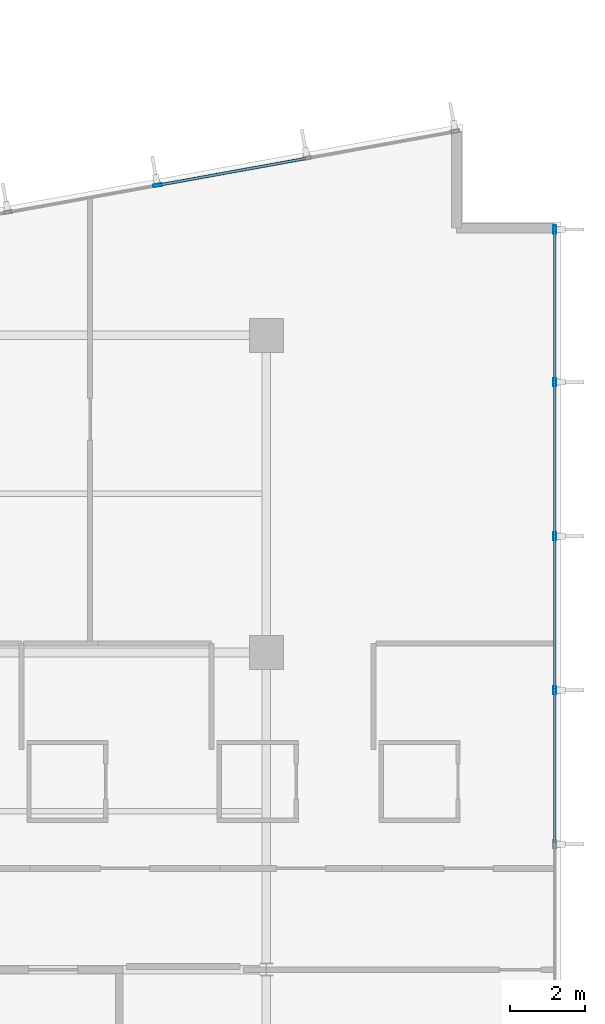
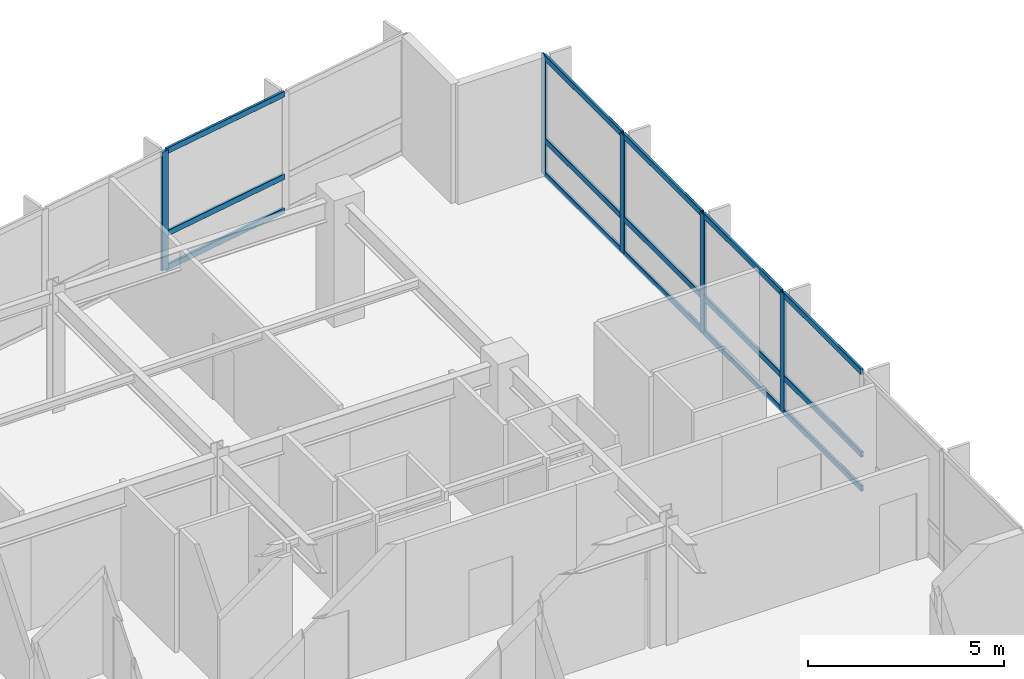
# One storey, part 8 of 21: 20 members, 2 elements without a shape of their own.
"""IFC4 building model written with IfcOpenShell, lengths in metres."""

from ifc_helpers import new_model, si_unit, direction, frame, origin, origin_2d, place, context, subcontext, project, spatial, hollow_rectangle, extrude, material, layer, layer_set, material_profile, profile_set, type_object, element, aggregate, save


model = new_model("IFC4")

# Units and contexts
model_context = context("Model", 3, precision=1e-05, world=origin(), true_north=direction((0.0, 1.0)))
body_context = subcontext(model_context, "Body", "Model", "MODEL_VIEW")
ifc_project = project(units=[si_unit("LENGTHUNIT", "METRE"), si_unit("AREAUNIT", "SQUARE_METRE"), si_unit("VOLUMEUNIT", "CUBIC_METRE"), si_unit("PLANEANGLEUNIT", "RADIAN"), si_unit("MASSUNIT", "GRAM", prefix="KILO")], contexts=[model_context])

# Site, building, storey
site_placement = place(None, origin())
site = spatial("IfcSite", under=ifc_project, at=site_placement, CompositionType="ELEMENT")
building_placement = place(site_placement, origin())
building = spatial("IfcBuilding", under=site, at=building_placement, Name="Varnakote Quay Hospital", CompositionType="ELEMENT")
storey_placement = place(building_placement, frame((0.0, 0.0, 38.300048828125)))
storey = spatial("IfcBuildingStorey", under=building, at=storey_placement, Name="L09", CompositionType="ELEMENT", Elevation=38.300048828125)

# Curtain wall, members
ifc_material_1 = material(Name="Anodised aluminium 6063-T6 Bronze", Category="aluminium")
ifc_layer = layer(ifc_material_1, 0.18994140625)
ifc_layer_set = layer_set([ifc_layer], Name="Anodised aluminium 6063-T6 Bronze")
curtain_wall_type = type_object("IfcCurtainWallType", Name="CW-SYS-2", PredefinedType="NOTDEFINED", material=ifc_layer_set)
curtain_wall_1_placement = place(storey_placement, origin())
curtain_wall_1 = element("IfcCurtainWall", 1, at=curtain_wall_1_placement, inside=storey, type_object=curtain_wall_type, Name="L09 Unitised Bronze Curtain Wall 1", PredefinedType="NOTDEFINED")
ifc_material_2 = material(Name="Anodised aluminium 6063-T6 Bronze", Category="aluminium")
ifc_material_profile_1 = material_profile(ifc_material_2, hollow_rectangle(XDim=0.074951171875, YDim=0.219970703125, WallThickness=0.00439453125, InnerFilletRadius=0.00439453125, OuterFilletRadius=0.009033203125, at=origin_2d()), Name="CW-MULL-220x75")
ifc_profile_set_1 = profile_set([ifc_material_profile_1], Name="Anodised aluminium 6063-T6 Bronze")
member_type_1 = type_object("IfcMemberType", Name="CW-MULL-220x75", PredefinedType="MULLION", material=ifc_profile_set_1)
member_1_placement = place(storey_placement, frame((58.0400390625, 19.39990234375, 0.0), z_axis=(0.0, 0.0, 1.0), x_axis=(-1.0, 0.0, 0.0)))
member_1 = element("IfcMember", 2, at=member_1_placement, type_object=member_type_1, Name="-2-L09-1 mullion 4", PredefinedType="MULLION", context=body_context, shape_type="SweptSolid", body=[
    extrude(hollow_rectangle(XDim=0.074951171875, YDim=0.219970703125, WallThickness=0.00439453125, InnerFilletRadius=0.00439453125, OuterFilletRadius=0.009033203125, at=origin_2d()), origin(), (0.0, 0.0, 1.0), 3.7099609375),
])
member_2_placement = place(storey_placement, frame((58.0400390625, 23.47998046875, 0.0), z_axis=(0.0, 0.0, 1.0), x_axis=(-1.0, 0.0, 0.0)))
member_2 = element("IfcMember", 3, at=member_2_placement, type_object=member_type_1, Name="-2-L09-1 mullion 5", PredefinedType="MULLION", context=body_context, shape_type="SweptSolid", body=[
    extrude(hollow_rectangle(XDim=0.074951171875, YDim=0.219970703125, WallThickness=0.00439453125, InnerFilletRadius=0.00439453125, OuterFilletRadius=0.009033203125, at=origin_2d()), origin(), (0.0, 0.0, 1.0), 3.7099609375),
])
member_3_placement = place(storey_placement, frame((58.0400390625, 27.56005859375, 0.0), z_axis=(0.0, 0.0, 1.0), x_axis=(-1.0, 0.0, 0.0)))
member_3 = element("IfcMember", 4, at=member_3_placement, type_object=member_type_1, Name="-2-L09-1 mullion 6", PredefinedType="MULLION", context=body_context, shape_type="SweptSolid", body=[
    extrude(hollow_rectangle(XDim=0.074951171875, YDim=0.219970703125, WallThickness=0.00439453125, InnerFilletRadius=0.00439453125, OuterFilletRadius=0.009033203125, at=origin_2d()), origin(), (0.0, 0.0, 1.0), 3.7099609375),
])
member_4_placement = place(storey_placement, frame((58.0400390625, 31.6025390625, 0.0), z_axis=(0.0, 0.0, 1.0), x_axis=(-1.0, 0.0, 0.0)))
member_4 = element("IfcMember", 5, at=member_4_placement, type_object=member_type_1, Name="-2-L09-1 mullion 7", PredefinedType="MULLION", context=body_context, shape_type="SweptSolid", body=[
    extrude(hollow_rectangle(XDim=0.074951171875, YDim=0.219970703125, WallThickness=0.00439453125, InnerFilletRadius=0.00439453125, OuterFilletRadius=0.009033203125, at=origin_2d()), origin(), (0.0, 0.0, 1.0), 3.7099609375),
])

# Curtain wall, member
curtain_wall_2_placement = place(storey_placement, origin())
curtain_wall_2 = element("IfcCurtainWall", 6, at=curtain_wall_2_placement, inside=storey, type_object=curtain_wall_type, Name="L09 Unitised Bronze Curtain Wall 2", PredefinedType="NOTDEFINED")
member_5_placement = place(storey_placement, frame((47.514892578125, 32.776123046875, 0.0), z_axis=(0.0, 0.0, 1.0), x_axis=(0.177846199098, -0.984058295766, 0.0)))
member_5 = element("IfcMember", 7, at=member_5_placement, type_object=member_type_1, Name="-2-L09-2 mullion 3", PredefinedType="MULLION", context=body_context, shape_type="SweptSolid", body=[
    extrude(hollow_rectangle(XDim=0.074951171875, YDim=0.219970703125, WallThickness=0.00439453125, InnerFilletRadius=0.00439453125, OuterFilletRadius=0.009033203125, at=origin_2d()), origin(), (0.0, 0.0, 1.0), 3.7099609375),
])

# Member
ifc_material_3 = material(Name="Anodised aluminium 6063-T6 Bronze", Category="aluminium")
ifc_material_profile_2 = material_profile(ifc_material_3, hollow_rectangle(XDim=0.074951171875, YDim=0.179931640625, WallThickness=0.004150390625, InnerFilletRadius=0.004150390625, OuterFilletRadius=0.00830078125, at=origin_2d()), Name="CW-TRAN-180x75")
ifc_profile_set_2 = profile_set([ifc_material_profile_2], Name="Anodised aluminium 6063-T6 Bronze")
member_type_2 = type_object("IfcMemberType", Name="CW-TRAN-180x75", PredefinedType="USERDEFINED", material=ifc_profile_set_2)
member_6_placement = place(storey_placement, frame((58.0400390625, 15.357421875, 0.037353515625), z_axis=(0.0, 1.0, 0.0), x_axis=(-1.0, 0.0, 0.0)))
member_6 = element("IfcMember", 8, at=member_6_placement, type_object=member_type_2, Name="-2-L09-1 transom 3.1", ObjectType="TRANSOM", PredefinedType="USERDEFINED", context=body_context, shape_type="SweptSolid", body=[
    extrude(hollow_rectangle(XDim=0.074951171875, YDim=0.179931640625, WallThickness=0.004150390625, InnerFilletRadius=0.004150390625, OuterFilletRadius=0.00830078125, at=origin_2d()), origin(), (0.0, 0.0, 1.0), 4.005126953125),
])

member_7_placement = place(storey_placement, frame((58.0400390625, 15.357421875, 1.099853515625), z_axis=(0.0, 1.0, 0.0), x_axis=(-1.0, 0.0, 0.0)))
member_7 = element("IfcMember", 9, at=member_7_placement, type_object=member_type_2, Name="-2-L09-1 transom 3.2", ObjectType="TRANSOM", PredefinedType="USERDEFINED", context=body_context, shape_type="SweptSolid", body=[
    extrude(hollow_rectangle(XDim=0.074951171875, YDim=0.179931640625, WallThickness=0.004150390625, InnerFilletRadius=0.004150390625, OuterFilletRadius=0.00830078125, at=origin_2d()), origin(), (0.0, 0.0, 1.0), 4.005126953125),
])

member_8_placement = place(storey_placement, frame((58.0400390625, 15.357421875, 3.67236328125), z_axis=(0.0, 1.0, 0.0), x_axis=(-1.0, 0.0, 0.0)))
member_8 = element("IfcMember", 10, at=member_8_placement, type_object=member_type_2, Name="-2-L09-1 transom 3.3", ObjectType="TRANSOM", PredefinedType="USERDEFINED", context=body_context, shape_type="SweptSolid", body=[
    extrude(hollow_rectangle(XDim=0.074951171875, YDim=0.179931640625, WallThickness=0.004150390625, InnerFilletRadius=0.004150390625, OuterFilletRadius=0.00830078125, at=origin_2d()), origin(), (0.0, 0.0, 1.0), 4.005126953125),
])

member_9_placement = place(storey_placement, frame((58.0400390625, 19.4375, 0.037353515625), z_axis=(0.0, 1.0, 0.0), x_axis=(-1.0, 0.0, 0.0)))
member_9 = element("IfcMember", 11, at=member_9_placement, type_object=member_type_2, Name="-2-L09-1 transom 4.1", ObjectType="TRANSOM", PredefinedType="USERDEFINED", context=body_context, shape_type="SweptSolid", body=[
    extrude(hollow_rectangle(XDim=0.074951171875, YDim=0.179931640625, WallThickness=0.004150390625, InnerFilletRadius=0.004150390625, OuterFilletRadius=0.00830078125, at=origin_2d()), origin(), (0.0, 0.0, 1.0), 4.0048828125),
])

member_10_placement = place(storey_placement, frame((58.0400390625, 19.4375, 1.099853515625), z_axis=(0.0, 1.0, 0.0), x_axis=(-1.0, 0.0, 0.0)))
member_10 = element("IfcMember", 12, at=member_10_placement, type_object=member_type_2, Name="-2-L09-1 transom 4.2", ObjectType="TRANSOM", PredefinedType="USERDEFINED", context=body_context, shape_type="SweptSolid", body=[
    extrude(hollow_rectangle(XDim=0.074951171875, YDim=0.179931640625, WallThickness=0.004150390625, InnerFilletRadius=0.004150390625, OuterFilletRadius=0.00830078125, at=origin_2d()), origin(), (0.0, 0.0, 1.0), 4.0048828125),
])

member_11_placement = place(storey_placement, frame((58.0400390625, 19.4375, 3.67236328125), z_axis=(0.0, 1.0, 0.0), x_axis=(-1.0, 0.0, 0.0)))
member_11 = element("IfcMember", 13, at=member_11_placement, type_object=member_type_2, Name="-2-L09-1 transom 4.3", ObjectType="TRANSOM", PredefinedType="USERDEFINED", context=body_context, shape_type="SweptSolid", body=[
    extrude(hollow_rectangle(XDim=0.074951171875, YDim=0.179931640625, WallThickness=0.004150390625, InnerFilletRadius=0.004150390625, OuterFilletRadius=0.00830078125, at=origin_2d()), origin(), (0.0, 0.0, 1.0), 4.0048828125),
])

member_12_placement = place(storey_placement, frame((58.0400390625, 23.517578125, 0.037353515625), z_axis=(0.0, 1.0, 0.0), x_axis=(-1.0, 0.0, 0.0)))
member_12 = element("IfcMember", 14, at=member_12_placement, type_object=member_type_2, Name="-2-L09-1 transom 5.1", ObjectType="TRANSOM", PredefinedType="USERDEFINED", context=body_context, shape_type="SweptSolid", body=[
    extrude(hollow_rectangle(XDim=0.074951171875, YDim=0.179931640625, WallThickness=0.004150390625, InnerFilletRadius=0.004150390625, OuterFilletRadius=0.00830078125, at=origin_2d()), origin(), (0.0, 0.0, 1.0), 4.0048828125),
])

member_13_placement = place(storey_placement, frame((58.0400390625, 23.517578125, 1.099853515625), z_axis=(0.0, 1.0, 0.0), x_axis=(-1.0, 0.0, 0.0)))
member_13 = element("IfcMember", 15, at=member_13_placement, type_object=member_type_2, Name="-2-L09-1 transom 5.2", ObjectType="TRANSOM", PredefinedType="USERDEFINED", context=body_context, shape_type="SweptSolid", body=[
    extrude(hollow_rectangle(XDim=0.074951171875, YDim=0.179931640625, WallThickness=0.004150390625, InnerFilletRadius=0.004150390625, OuterFilletRadius=0.00830078125, at=origin_2d()), origin(), (0.0, 0.0, 1.0), 4.0048828125),
])

member_14_placement = place(storey_placement, frame((58.0400390625, 23.517578125, 3.67236328125), z_axis=(0.0, 1.0, 0.0), x_axis=(-1.0, 0.0, 0.0)))
member_14 = element("IfcMember", 16, at=member_14_placement, type_object=member_type_2, Name="-2-L09-1 transom 5.3", ObjectType="TRANSOM", PredefinedType="USERDEFINED", context=body_context, shape_type="SweptSolid", body=[
    extrude(hollow_rectangle(XDim=0.074951171875, YDim=0.179931640625, WallThickness=0.004150390625, InnerFilletRadius=0.004150390625, OuterFilletRadius=0.00830078125, at=origin_2d()), origin(), (0.0, 0.0, 1.0), 4.0048828125),
])

member_15_placement = place(storey_placement, frame((58.0400390625, 27.597412109375, 0.037353515625), z_axis=(0.0, 1.0, 0.0), x_axis=(-1.0, 0.0, 0.0)))
member_15 = element("IfcMember", 17, at=member_15_placement, type_object=member_type_2, Name="-2-L09-1 transom 6.1", ObjectType="TRANSOM", PredefinedType="USERDEFINED", context=body_context, shape_type="SweptSolid", body=[
    extrude(hollow_rectangle(XDim=0.074951171875, YDim=0.179931640625, WallThickness=0.004150390625, InnerFilletRadius=0.004150390625, OuterFilletRadius=0.00830078125, at=origin_2d()), origin(), (0.0, 0.0, 1.0), 3.967529296875),
])

member_16_placement = place(storey_placement, frame((58.0400390625, 27.597412109375, 1.099853515625), z_axis=(0.0, 1.0, 0.0), x_axis=(-1.0, 0.0, 0.0)))
member_16 = element("IfcMember", 18, at=member_16_placement, type_object=member_type_2, Name="-2-L09-1 transom 6.2", ObjectType="TRANSOM", PredefinedType="USERDEFINED", context=body_context, shape_type="SweptSolid", body=[
    extrude(hollow_rectangle(XDim=0.074951171875, YDim=0.179931640625, WallThickness=0.004150390625, InnerFilletRadius=0.004150390625, OuterFilletRadius=0.00830078125, at=origin_2d()), origin(), (0.0, 0.0, 1.0), 3.967529296875),
])

member_17_placement = place(storey_placement, frame((58.0400390625, 27.597412109375, 3.67236328125), z_axis=(0.0, 1.0, 0.0), x_axis=(-1.0, 0.0, 0.0)))
member_17 = element("IfcMember", 19, at=member_17_placement, type_object=member_type_2, Name="-2-L09-1 transom 6.3", ObjectType="TRANSOM", PredefinedType="USERDEFINED", context=body_context, shape_type="SweptSolid", body=[
    extrude(hollow_rectangle(XDim=0.074951171875, YDim=0.179931640625, WallThickness=0.004150390625, InnerFilletRadius=0.004150390625, OuterFilletRadius=0.00830078125, at=origin_2d()), origin(), (0.0, 0.0, 1.0), 3.967529296875),
])

aggregate(curtain_wall_1, [member_1, member_2, member_3, member_4, member_6, member_7, member_8, member_9, member_10, member_11, member_12, member_13, member_14, member_15, member_16, member_17])

member_18_placement = place(storey_placement, frame((51.4404296875, 33.485595703125, 0.037353515625), z_axis=(-0.984065046829, -0.177808840079, 0.0), x_axis=(0.177808840079, -0.984065046829, 0.0)))
member_18 = element("IfcMember", 20, at=member_18_placement, type_object=member_type_2, Name="-2-L09-2 transom 2.1", ObjectType="TRANSOM", PredefinedType="USERDEFINED", context=body_context, shape_type="SweptSolid", body=[
    extrude(hollow_rectangle(XDim=0.074951171875, YDim=0.179931640625, WallThickness=0.004150390625, InnerFilletRadius=0.004150390625, OuterFilletRadius=0.00830078125, at=origin_2d()), origin(), (0.0, 0.0, 1.0), 3.95166015625),
])

member_19_placement = place(storey_placement, frame((51.4404296875, 33.485595703125, 1.099853515625), z_axis=(-0.984065046829, -0.177808840079, 0.0), x_axis=(0.177808840079, -0.984065046829, 0.0)))
member_19 = element("IfcMember", 21, at=member_19_placement, type_object=member_type_2, Name="-2-L09-2 transom 2.2", ObjectType="TRANSOM", PredefinedType="USERDEFINED", context=body_context, shape_type="SweptSolid", body=[
    extrude(hollow_rectangle(XDim=0.074951171875, YDim=0.179931640625, WallThickness=0.004150390625, InnerFilletRadius=0.004150390625, OuterFilletRadius=0.00830078125, at=origin_2d()), origin(), (0.0, 0.0, 1.0), 3.95166015625),
])

member_20_placement = place(storey_placement, frame((51.4404296875, 33.485595703125, 3.67236328125), z_axis=(-0.984065046829, -0.177808840079, 0.0), x_axis=(0.177808840079, -0.984065046829, 0.0)))
member_20 = element("IfcMember", 22, at=member_20_placement, type_object=member_type_2, Name="-2-L09-2 transom 2.3", ObjectType="TRANSOM", PredefinedType="USERDEFINED", context=body_context, shape_type="SweptSolid", body=[
    extrude(hollow_rectangle(XDim=0.074951171875, YDim=0.179931640625, WallThickness=0.004150390625, InnerFilletRadius=0.004150390625, OuterFilletRadius=0.00830078125, at=origin_2d()), origin(), (0.0, 0.0, 1.0), 3.95166015625),
])

aggregate(curtain_wall_2, [member_5, member_18, member_19, member_20])

save(model, "model.ifc")
